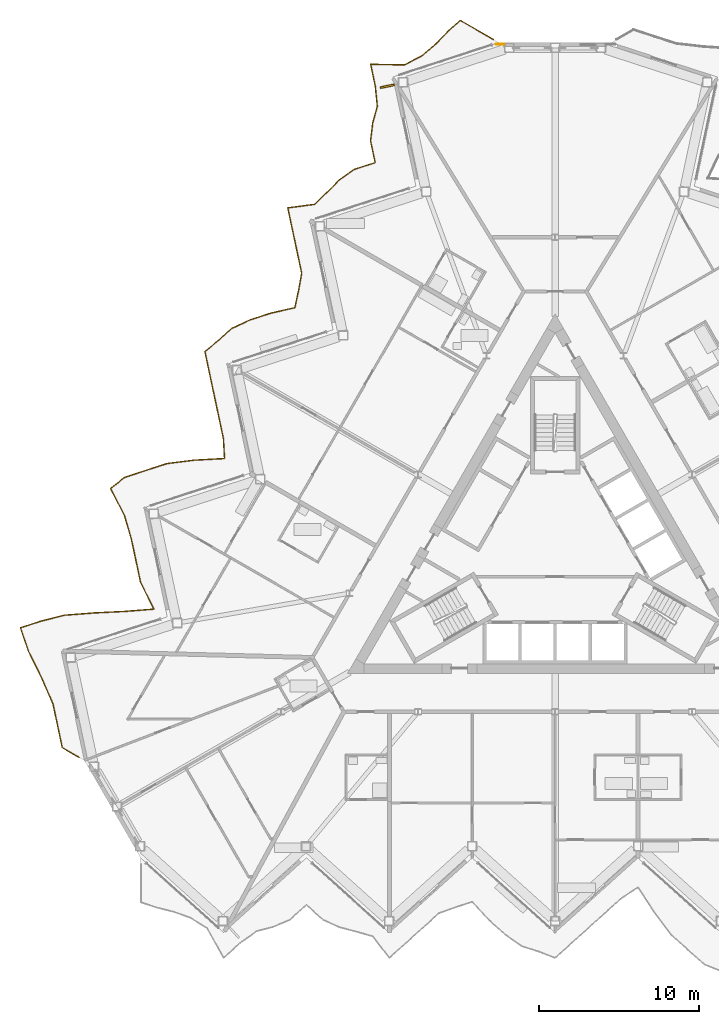
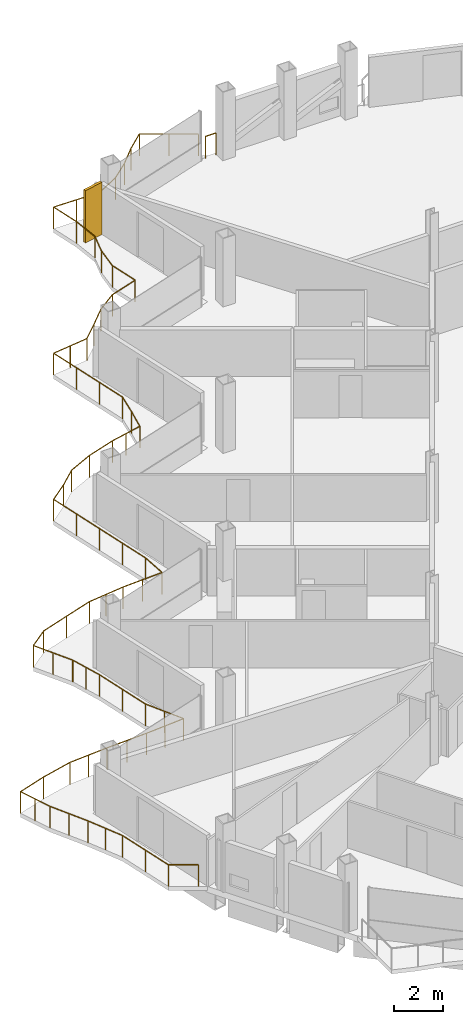
# One storey, part 25 of 28: 2 railings, 1 shading device.
"""IFC4 building model written with IfcOpenShell, lengths in metres."""

from ifc_helpers import new_model, si_unit, direction, frame, origin, origin_2d, place, context, subcontext, project, spatial, rectangle, circle, extrude, material, layer, layer_set, type_object, element, save


model = new_model("IFC4")

# Units and contexts
model_context = context("Model", 3, precision=1e-05, world=origin(), true_north=direction((0.0, 1.0)))
body_context = subcontext(model_context, "Body", "Model", "MODEL_VIEW")
ifc_project = project(units=[si_unit("LENGTHUNIT", "METRE"), si_unit("AREAUNIT", "SQUARE_METRE"), si_unit("VOLUMEUNIT", "CUBIC_METRE"), si_unit("PLANEANGLEUNIT", "RADIAN"), si_unit("MASSUNIT", "GRAM", prefix="KILO")], contexts=[model_context])

# Site, building, storey
site_placement = place(None, origin())
site = spatial("IfcSite", under=ifc_project, at=site_placement, CompositionType="ELEMENT")
building_placement = place(site_placement, origin())
building = spatial("IfcBuilding", under=site, at=building_placement, Name="Cormorant Prow Tower", CompositionType="ELEMENT")
storey_placement = place(building_placement, frame((0.0, 0.0, 301.800048828125)))
storey = spatial("IfcBuildingStorey", under=building, at=storey_placement, Name="L65", CompositionType="ELEMENT", Elevation=301.800048828125)

# Railings
ifc_material_1 = material(Name="Aluminium 6063-T6", Category="aluminium")
railing_type_1 = type_object("IfcRailingType", Name="Balcony guard 1100", PredefinedType="GUARDRAIL", material=ifc_material_1)
railing_1_placement = place(storey_placement, frame((-3.853759765625, 32.19482421875, 0.0)))
element("IfcRailing", 1, at=railing_1_placement, inside=storey, type_object=railing_type_1, Name="Balcony guard WNW", PredefinedType="GUARDRAIL", context=body_context, shape_type="SweptSolid", body=[
    extrude(circle(Radius=0.02392578125, at=origin_2d()), frame((0.0, 0.0, 1.076171875), z_axis=(-0.865984316205, 0.500071159023, 0.0), x_axis=(-0.500071159023, -0.865984316205, 0.0)), (0.0, 0.0, 1.0), 2.404052734375),
    extrude(circle(Radius=0.02392578125, at=origin_2d()), frame((-2.081787109375, 1.2021484375, 1.076171875), z_axis=(-0.747089038768, -0.664723978921, 0.0), x_axis=(0.664723978921, -0.747089038768, 0.0)), (0.0, 0.0, 1.0), 1.09375),
    extrude(circle(Radius=0.02392578125, at=origin_2d()), frame((-2.89892578125, 0.47509765625, 1.076171875), z_axis=(-0.694211586082, -0.719770987016, 0.0), x_axis=(0.719770987016, -0.694211586082, 0.0)), (0.0, 0.0, 1.0), 1.06982421875),
    extrude(circle(Radius=0.02392578125, at=origin_2d()), frame((-3.6416015625, -0.294921875, 1.076171875), z_axis=(-0.762032199561, -0.647539131507, 0.0), x_axis=(0.647539131507, -0.762032199561, 0.0)), (0.0, 0.0, 1.0), 1.1025390625),
    extrude(circle(Radius=0.02392578125, at=origin_2d()), frame((-4.481689453125, -1.0087890625, 1.076171875), z_axis=(-0.882981427981, -0.469407922644, 0.0), x_axis=(0.469407922644, -0.882981427981, 0.0)), (0.0, 0.0, 1.0), 1.224365234375),
    extrude(circle(Radius=0.02392578125, at=origin_2d()), frame((-5.562744140625, -1.58349609375, 1.076171875), z_axis=(-0.999864732402, 0.016447397928, 0.0), x_axis=(-0.016447397928, -0.999864732402, 0.0)), (0.0, 0.0, 1.0), 2.137451171875),
    extrude(circle(Radius=0.02392578125, at=origin_2d()), frame((-7.699951171875, -1.54833984375, 1.076171875), z_axis=(0.207929807467, -0.978143749746, 0.0), x_axis=(0.978143749746, 0.207929807467, 0.0)), (0.0, 0.0, 1.0), 1.397216796875),
    extrude(circle(Radius=0.02392578125, at=origin_2d()), frame((-7.409423828125, -2.9150390625, 1.076171875), z_axis=(0.097534282196, -0.995232165777, 0.0), x_axis=(0.995232165777, 0.097534282196, 0.0)), (0.0, 0.0, 1.0), 1.276611328125),
    extrude(circle(Radius=0.02392578125, at=origin_2d()), frame((-7.284912109375, -4.185546875, 1.076171875), z_axis=(-0.266293644334, -0.963891951926, 0.0), x_axis=(0.963891951926, -0.266293644334, 0.0)), (0.0, 0.0, 1.0), 1.07275390625),
    extrude(circle(Radius=0.02392578125, at=origin_2d()), frame((-7.570556640625, -5.219482421875, 1.076171875), z_axis=(-0.120971161182, -0.992656022075, 0.0), x_axis=(0.992656022075, -0.120971161182, 0.0)), (0.0, 0.0, 1.0), 1.128173828125),
    extrude(circle(Radius=0.02392578125, at=origin_2d()), frame((-7.70703125, -6.33935546875, 1.076171875), z_axis=(0.207798139517, -0.978171729919, 0.0), x_axis=(0.978171729919, 0.207798139517, 0.0)), (0.0, 0.0, 1.0), 1.39697265625),
    extrude(circle(Radius=0.02392578125, at=origin_2d()), frame((-7.416748046875, -7.705810546875, 1.076171875), z_axis=(-0.951016087818, -0.309141392751, 0.0), x_axis=(0.309141392751, -0.951016087818, 0.0)), (0.0, 0.0, 1.0), 1.39697265625),
    extrude(circle(Radius=0.02392578125, at=origin_2d()), frame((-8.745361328125, -8.1376953125, 1.076171875), z_axis=(-0.811729495463, -0.584033583106, 0.0), x_axis=(0.584033583106, -0.811729495463, 0.0)), (0.0, 0.0, 1.0), 1.138671875),
    extrude(circle(Radius=0.02392578125, at=origin_2d()), frame((-9.669677734375, -8.802734375, 1.076171875), z_axis=(-0.703572168412, -0.710623813165, 0.0), x_axis=(0.710623813165, -0.703572168412, 0.0)), (0.0, 0.0, 1.0), 1.0732421875),
    extrude(circle(Radius=0.02392578125, at=origin_2d()), frame((-10.4248046875, -9.5654296875, 1.076171875), z_axis=(-0.718102453364, -0.69593740126, 0.0), x_axis=(0.69593740126, -0.718102453364, 0.0)), (0.0, 0.0, 1.0), 1.079345703125),
    extrude(circle(Radius=0.02392578125, at=origin_2d()), frame((-11.199951171875, -10.316650390625, 1.076171875), z_axis=(-0.991439182662, -0.130569319074, 0.0), x_axis=(0.130569319074, -0.991439182662, 0.0)), (0.0, 0.0, 1.0), 1.705322265625),
    extrude(circle(Radius=0.02392578125, at=origin_2d()), frame((-12.890625, -10.539306640625, 1.076171875), z_axis=(0.207762621885, -0.978179274442, 0.0), x_axis=(0.978179274442, 0.207762621885, 0.0)), (0.0, 0.0, 1.0), 1.397216796875),
    extrude(circle(Radius=0.02392578125, at=origin_2d()), frame((-12.600341796875, -11.906005859375, 1.076171875), z_axis=(0.207965351097, -0.978136193351, 0.0), x_axis=(0.978136193351, 0.207965351097, 0.0)), (0.0, 0.0, 1.0), 1.39697265625),
    extrude(circle(Radius=0.02392578125, at=origin_2d()), frame((-12.309814453125, -13.2724609375, 1.076171875), z_axis=(0.207798139517, -0.978171729919, 0.0), x_axis=(0.978171729919, 0.207798139517, 0.0)), (0.0, 0.0, 1.0), 1.39697265625),
    extrude(circle(Radius=0.02392578125, at=origin_2d()), frame((-12.01953125, -14.638916015625, 1.076171875), z_axis=(-0.180074285146, -0.983653013938, 0.0), x_axis=(0.983653013938, -0.180074285146, 0.0)), (0.0, 0.0, 1.0), 1.102294921875),
    extrude(circle(Radius=0.02392578125, at=origin_2d()), frame((-12.218017578125, -15.72314453125, 1.076171875), z_axis=(-0.208490120926, -0.978024472841, 0.0), x_axis=(0.978024472841, -0.208490120926, 0.0)), (0.0, 0.0, 1.0), 1.09130859375),
    extrude(circle(Radius=0.02392578125, at=origin_2d()), frame((-12.445556640625, -16.79052734375, 1.076171875), z_axis=(-0.97526134755, -0.22105497953, 0.0), x_axis=(0.22105497953, -0.97526134755, 0.0)), (0.0, 0.0, 1.0), 1.528564453125),
    extrude(circle(Radius=0.02392578125, at=origin_2d()), frame((-13.936279296875, -17.12841796875, 1.076171875), z_axis=(-0.951016087818, -0.309141392751, 0.0), x_axis=(0.309141392751, -0.951016087818, 0.0)), (0.0, 0.0, 1.0), 1.39697265625),
    extrude(circle(Radius=0.02392578125, at=origin_2d()), frame((-15.264892578125, -17.560302734375, 1.076171875), z_axis=(-0.90494118241, -0.425536668665, 0.0), x_axis=(0.425536668665, -0.90494118241, 0.0)), (0.0, 0.0, 1.0), 1.264404296875),
    extrude(circle(Radius=0.02392578125, at=origin_2d()), frame((-16.4091796875, -18.098388671875, 1.076171875), z_axis=(-0.737479817062, -0.675369172694, 0.0), x_axis=(0.675369172694, -0.737479817062, 0.0)), (0.0, 0.0, 1.0), 1.0888671875),
    extrude(circle(Radius=0.02392578125, at=origin_2d()), frame((-17.212158203125, -18.833740234375, 1.076171875), z_axis=(-0.780505258853, -0.62514921491, 0.0), x_axis=(0.62514921491, -0.780505258853, 0.0)), (0.0, 0.0, 1.0), 1.1142578125),
    extrude(circle(Radius=0.02392578125, at=origin_2d()), frame((-18.081787109375, -19.5302734375, 1.076171875), z_axis=(0.207965351097, -0.978136193351, 0.0), x_axis=(0.978136193351, 0.207965351097, 0.0)), (0.0, 0.0, 1.0), 1.39697265625),
    extrude(circle(Radius=0.02392578125, at=origin_2d()), frame((-17.791259765625, -20.896728515625, 1.076171875), z_axis=(0.207929807467, -0.978143749746, 0.0), x_axis=(0.978143749746, 0.207929807467, 0.0)), (0.0, 0.0, 1.0), 1.397216796875),
    extrude(circle(Radius=0.02392578125, at=origin_2d()), frame((-17.500732421875, -22.263427734375, 1.076171875), z_axis=(0.207798139517, -0.978171729919, 0.0), x_axis=(0.978171729919, 0.207798139517, 0.0)), (0.0, 0.0, 1.0), 1.39697265625),
    extrude(circle(Radius=0.02392578125, at=origin_2d()), frame((-17.21044921875, -23.6298828125, 1.076171875), z_axis=(0.207965351097, -0.978136193351, 0.0), x_axis=(0.978136193351, 0.207965351097, 0.0)), (0.0, 0.0, 1.0), 1.39697265625),
    extrude(circle(Radius=0.02392578125, at=origin_2d()), frame((-16.919921875, -24.996337890625, 1.076171875), z_axis=(0.055317377538, -0.998468821618, 0.0), x_axis=(0.998468821618, 0.055317377538, 0.0)), (0.0, 0.0, 1.0), 1.240234375),
    extrude(circle(Radius=0.02392578125, at=origin_2d()), frame((-16.851318359375, -26.234619140625, 1.076171875), z_axis=(-0.998537593173, -0.054061770412, 0.0), x_axis=(0.054061770412, -0.998537593173, 0.0)), (0.0, 0.0, 1.0), 1.901123046875),
    extrude(circle(Radius=0.02392578125, at=origin_2d()), frame((-18.749755859375, -26.33740234375, 1.076171875), z_axis=(-0.992234125574, -0.124384243561, 0.0), x_axis=(0.124384243561, -0.992234125574, 0.0)), (0.0, 0.0, 1.0), 1.719482421875),
    extrude(circle(Radius=0.02392578125, at=origin_2d()), frame((-20.455810546875, -26.55126953125, 1.076171875), z_axis=(-0.951067455121, -0.308983326103, 0.0), x_axis=(0.308983326103, -0.951067455121, 0.0)), (0.0, 0.0, 1.0), 1.39697265625),
    extrude(circle(Radius=0.02392578125, at=origin_2d()), frame((-21.784423828125, -26.98291015625, 1.076171875), z_axis=(-0.949313575677, -0.314330614218, 0.0), x_axis=(0.314330614218, -0.949313575677, 0.0)), (0.0, 0.0, 1.0), 1.390380859375),
    extrude(circle(Radius=0.02392578125, at=origin_2d()), frame((-23.104248046875, -27.419921875, 1.076171875), z_axis=(-0.788529793252, -0.614996557026, 0.0), x_axis=(0.614996557026, -0.788529793252, 0.0)), (0.0, 0.0, 1.0), 1.119873046875),
    extrude(circle(Radius=0.02392578125, at=origin_2d()), frame((-23.9873046875, -28.108642578125, 1.076171875), z_axis=(0.455120067294, -0.890430078303, 0.0), x_axis=(0.890430078303, 0.455120067294, 0.0)), (0.0, 0.0, 1.0), 1.91015625),
    extrude(circle(Radius=0.02392578125, at=origin_2d()), frame((-23.117919921875, -29.8095703125, 1.076171875), z_axis=(0.282973475097, -0.95912773518, 0.0), x_axis=(0.95912773518, 0.282973475097, 0.0)), (0.0, 0.0, 1.0), 1.50634765625),
    extrude(circle(Radius=0.02392578125, at=origin_2d()), frame((-22.691650390625, -31.25439453125, 1.076171875), z_axis=(0.207965351097, -0.978136193351, 0.0), x_axis=(0.978136193351, 0.207965351097, 0.0)), (0.0, 0.0, 1.0), 1.39697265625),
    extrude(circle(Radius=0.02392578125, at=origin_2d()), frame((-22.401123046875, -32.620849609375, 1.076171875), z_axis=(0.207798139517, -0.978171729919, 0.0), x_axis=(0.978171729919, 0.207798139517, 0.0)), (0.0, 0.0, 1.0), 1.39697265625),
    extrude(circle(Radius=0.02392578125, at=origin_2d()), frame((-22.11083984375, -33.9873046875, 1.076171875), z_axis=(0.443664933893, -0.896192739556, 0.0), x_axis=(0.896192739556, 0.443664933893, 0.0)), (0.0, 0.0, 1.0), 1.873046875),
    extrude(circle(Radius=0.02392578125, at=origin_2d()), frame((-21.27978515625, -35.666015625, 1.076171875), z_axis=(-0.996893193601, -0.078765224254, 0.0), x_axis=(0.078765224254, -0.996893193601, 0.0)), (0.0, 0.0, 1.0), 1.831787109375),
    extrude(circle(Radius=0.02392578125, at=origin_2d()), frame((-23.10595703125, -35.810302734375, 1.076171875), z_axis=(-0.998816277505, -0.048641996176, 0.0), x_axis=(0.048641996176, -0.998816277505, 0.0)), (0.0, 0.0, 1.0), 1.917236328125),
    extrude(circle(Radius=0.02392578125, at=origin_2d()), frame((-25.02099609375, -35.903564453125, 1.076171875), z_axis=(-0.997045880711, -0.076808279228, 0.0), x_axis=(0.076808279228, -0.997045880711, 0.0)), (0.0, 0.0, 1.0), 1.837158203125),
    extrude(circle(Radius=0.02392578125, at=origin_2d()), frame((-26.852783203125, -36.044677734375, 1.076171875), z_axis=(-0.970449044261, -0.241306138529, 0.0), x_axis=(0.241306138529, -0.970449044261, 0.0)), (0.0, 0.0, 1.0), 1.495361328125),
    extrude(circle(Radius=0.02392578125, at=origin_2d()), frame((-28.303955078125, -36.405517578125, 1.076171875), z_axis=(-0.9510327847, -0.309090023174, 0.0), x_axis=(0.309090023174, -0.9510327847, 0.0)), (0.0, 0.0, 1.0), 1.397216796875),
    extrude(circle(Radius=0.02392578125, at=origin_2d()), frame((-29.6328125, -36.83740234375, 1.076171875), z_axis=(0.326565312027, -0.94517463835, 0.0), x_axis=(0.94517463835, 0.326565312027, 0.0)), (0.0, 0.0, 1.0), 1.584228515625),
    extrude(circle(Radius=0.02392578125, at=origin_2d()), frame((-29.115478515625, -38.334716796875, 1.076171875), z_axis=(0.442981034321, -0.896530982862, 0.0), x_axis=(0.896530982862, 0.442981034321, 0.0)), (0.0, 0.0, 1.0), 1.87109375),
    extrude(circle(Radius=0.02392578125, at=origin_2d()), frame((-28.28662109375, -40.01220703125, 1.076171875), z_axis=(0.398173143116, -0.917310279077, 0.0), x_axis=(0.917310279077, 0.398173143116, 0.0)), (0.0, 0.0, 1.0), 1.743896484375),
    extrude(circle(Radius=0.02392578125, at=origin_2d()), frame((-27.59228515625, -41.61181640625, 1.076171875), z_axis=(0.207965351097, -0.978136193351, 0.0), x_axis=(0.978136193351, 0.207965351097, 0.0)), (0.0, 0.0, 1.0), 1.39697265625),
    extrude(circle(Radius=0.02392578125, at=origin_2d()), frame((-27.3017578125, -42.978271484375, 1.076171875), z_axis=(0.207965351097, -0.978136193351, 0.0), x_axis=(0.978136193351, 0.207965351097, 0.0)), (0.0, 0.0, 1.0), 1.39697265625),
    extrude(circle(Radius=0.02392578125, at=origin_2d()), frame((-27.01123046875, -44.3447265625, 1.076171875), z_axis=(0.865955602162, -0.500120880472, 0.0), x_axis=(0.500120880472, 0.865955602162, 0.0)), (0.0, 0.0, 1.0), 1.219970703125),
    extrude(circle(Radius=0.02099609375, at=origin_2d()), origin(), (0.0, 0.0, 1.0), 1.052001953125),
    extrude(circle(Radius=0.02099609375, at=origin_2d()), frame((-1.041015625, 0.60107421875, 0.0)), (0.0, 0.0, 1.0), 1.052001953125),
    extrude(circle(Radius=0.02099609375, at=origin_2d()), frame((-2.081787109375, 1.2021484375, 0.0)), (0.0, 0.0, 1.0), 1.052001953125),
    extrude(circle(Radius=0.02099609375, at=origin_2d()), frame((-2.89892578125, 0.47509765625, 0.0)), (0.0, 0.0, 1.0), 1.052001953125),
    extrude(circle(Radius=0.02099609375, at=origin_2d()), frame((-3.6416015625, -0.294921875, 0.0)), (0.0, 0.0, 1.0), 1.052001953125),
    extrude(circle(Radius=0.02099609375, at=origin_2d()), frame((-4.481689453125, -1.0087890625, 0.0)), (0.0, 0.0, 1.0), 1.052001953125),
    extrude(circle(Radius=0.02099609375, at=origin_2d()), frame((-5.562744140625, -1.58349609375, 0.0)), (0.0, 0.0, 1.0), 1.052001953125),
    extrude(circle(Radius=0.02099609375, at=origin_2d()), frame((-6.63134765625, -1.56591796875, 0.0)), (0.0, 0.0, 1.0), 1.052001953125),
    extrude(circle(Radius=0.02099609375, at=origin_2d()), frame((-7.699951171875, -1.54833984375, 0.0)), (0.0, 0.0, 1.0), 1.052001953125),
    extrude(circle(Radius=0.02099609375, at=origin_2d()), frame((-7.409423828125, -2.9150390625, 0.0)), (0.0, 0.0, 1.0), 1.052001953125),
    extrude(circle(Radius=0.02099609375, at=origin_2d()), frame((-7.284912109375, -4.185546875, 0.0)), (0.0, 0.0, 1.0), 1.052001953125),
    extrude(circle(Radius=0.02099609375, at=origin_2d()), frame((-7.570556640625, -5.219482421875, 0.0)), (0.0, 0.0, 1.0), 1.052001953125),
    extrude(circle(Radius=0.02099609375, at=origin_2d()), frame((-7.70703125, -6.33935546875, 0.0)), (0.0, 0.0, 1.0), 1.052001953125),
    extrude(circle(Radius=0.02099609375, at=origin_2d()), frame((-7.416748046875, -7.705810546875, 0.0)), (0.0, 0.0, 1.0), 1.052001953125),
    extrude(circle(Radius=0.02099609375, at=origin_2d()), frame((-8.745361328125, -8.1376953125, 0.0)), (0.0, 0.0, 1.0), 1.052001953125),
    extrude(circle(Radius=0.02099609375, at=origin_2d()), frame((-9.669677734375, -8.802734375, 0.0)), (0.0, 0.0, 1.0), 1.052001953125),
    extrude(circle(Radius=0.02099609375, at=origin_2d()), frame((-10.4248046875, -9.5654296875, 0.0)), (0.0, 0.0, 1.0), 1.052001953125),
    extrude(circle(Radius=0.02099609375, at=origin_2d()), frame((-11.199951171875, -10.316650390625, 0.0)), (0.0, 0.0, 1.0), 1.052001953125),
    extrude(circle(Radius=0.02099609375, at=origin_2d()), frame((-12.04541015625, -10.427978515625, 0.0)), (0.0, 0.0, 1.0), 1.052001953125),
    extrude(circle(Radius=0.02099609375, at=origin_2d()), frame((-12.890625, -10.539306640625, 0.0)), (0.0, 0.0, 1.0), 1.052001953125),
    extrude(circle(Radius=0.02099609375, at=origin_2d()), frame((-12.600341796875, -11.906005859375, 0.0)), (0.0, 0.0, 1.0), 1.052001953125),
    extrude(circle(Radius=0.02099609375, at=origin_2d()), frame((-12.309814453125, -13.2724609375, 0.0)), (0.0, 0.0, 1.0), 1.052001953125),
    extrude(circle(Radius=0.02099609375, at=origin_2d()), frame((-12.01953125, -14.638916015625, 0.0)), (0.0, 0.0, 1.0), 1.052001953125),
    extrude(circle(Radius=0.02099609375, at=origin_2d()), frame((-12.218017578125, -15.72314453125, 0.0)), (0.0, 0.0, 1.0), 1.052001953125),
    extrude(circle(Radius=0.02099609375, at=origin_2d()), frame((-12.445556640625, -16.79052734375, 0.0)), (0.0, 0.0, 1.0), 1.052001953125),
    extrude(circle(Radius=0.02099609375, at=origin_2d()), frame((-13.19091796875, -16.95947265625, 0.0)), (0.0, 0.0, 1.0), 1.052001953125),
    extrude(circle(Radius=0.02099609375, at=origin_2d()), frame((-13.936279296875, -17.12841796875, 0.0)), (0.0, 0.0, 1.0), 1.052001953125),
    extrude(circle(Radius=0.02099609375, at=origin_2d()), frame((-15.264892578125, -17.560302734375, 0.0)), (0.0, 0.0, 1.0), 1.052001953125),
    extrude(circle(Radius=0.02099609375, at=origin_2d()), frame((-16.4091796875, -18.098388671875, 0.0)), (0.0, 0.0, 1.0), 1.052001953125),
    extrude(circle(Radius=0.02099609375, at=origin_2d()), frame((-17.212158203125, -18.833740234375, 0.0)), (0.0, 0.0, 1.0), 1.052001953125),
    extrude(circle(Radius=0.02099609375, at=origin_2d()), frame((-18.081787109375, -19.5302734375, 0.0)), (0.0, 0.0, 1.0), 1.052001953125),
    extrude(circle(Radius=0.02099609375, at=origin_2d()), frame((-17.791259765625, -20.896728515625, 0.0)), (0.0, 0.0, 1.0), 1.052001953125),
    extrude(circle(Radius=0.02099609375, at=origin_2d()), frame((-17.500732421875, -22.263427734375, 0.0)), (0.0, 0.0, 1.0), 1.052001953125),
    extrude(circle(Radius=0.02099609375, at=origin_2d()), frame((-17.21044921875, -23.6298828125, 0.0)), (0.0, 0.0, 1.0), 1.052001953125),
    extrude(circle(Radius=0.02099609375, at=origin_2d()), frame((-16.919921875, -24.996337890625, 0.0)), (0.0, 0.0, 1.0), 1.052001953125),
    extrude(circle(Radius=0.02099609375, at=origin_2d()), frame((-16.851318359375, -26.234619140625, 0.0)), (0.0, 0.0, 1.0), 1.052001953125),
    extrude(circle(Radius=0.02099609375, at=origin_2d()), frame((-17.800537109375, -26.2861328125, 0.0)), (0.0, 0.0, 1.0), 1.052001953125),
    extrude(circle(Radius=0.02099609375, at=origin_2d()), frame((-18.749755859375, -26.33740234375, 0.0)), (0.0, 0.0, 1.0), 1.052001953125),
    extrude(circle(Radius=0.02099609375, at=origin_2d()), frame((-19.602783203125, -26.4443359375, 0.0)), (0.0, 0.0, 1.0), 1.052001953125),
    extrude(circle(Radius=0.02099609375, at=origin_2d()), frame((-20.455810546875, -26.55126953125, 0.0)), (0.0, 0.0, 1.0), 1.052001953125),
    extrude(circle(Radius=0.02099609375, at=origin_2d()), frame((-21.784423828125, -26.98291015625, 0.0)), (0.0, 0.0, 1.0), 1.052001953125),
    extrude(circle(Radius=0.02099609375, at=origin_2d()), frame((-23.104248046875, -27.419921875, 0.0)), (0.0, 0.0, 1.0), 1.052001953125),
    extrude(circle(Radius=0.02099609375, at=origin_2d()), frame((-23.9873046875, -28.108642578125, 0.0)), (0.0, 0.0, 1.0), 1.052001953125),
    extrude(circle(Radius=0.02099609375, at=origin_2d()), frame((-23.552734375, -28.958984375, 0.0)), (0.0, 0.0, 1.0), 1.052001953125),
    extrude(circle(Radius=0.02099609375, at=origin_2d()), frame((-23.117919921875, -29.8095703125, 0.0)), (0.0, 0.0, 1.0), 1.052001953125),
    extrude(circle(Radius=0.02099609375, at=origin_2d()), frame((-22.90478515625, -30.531982421875, 0.0)), (0.0, 0.0, 1.0), 1.052001953125),
    extrude(circle(Radius=0.02099609375, at=origin_2d()), frame((-22.691650390625, -31.25439453125, 0.0)), (0.0, 0.0, 1.0), 1.052001953125),
    extrude(circle(Radius=0.02099609375, at=origin_2d()), frame((-22.401123046875, -32.620849609375, 0.0)), (0.0, 0.0, 1.0), 1.052001953125),
    extrude(circle(Radius=0.02099609375, at=origin_2d()), frame((-22.11083984375, -33.9873046875, 0.0)), (0.0, 0.0, 1.0), 1.052001953125),
    extrude(circle(Radius=0.02099609375, at=origin_2d()), frame((-21.6953125, -34.82666015625, 0.0)), (0.0, 0.0, 1.0), 1.052001953125),
    extrude(circle(Radius=0.02099609375, at=origin_2d()), frame((-21.27978515625, -35.666015625, 0.0)), (0.0, 0.0, 1.0), 1.052001953125),
    extrude(circle(Radius=0.02099609375, at=origin_2d()), frame((-22.19287109375, -35.73828125, 0.0)), (0.0, 0.0, 1.0), 1.052001953125),
    extrude(circle(Radius=0.02099609375, at=origin_2d()), frame((-23.10595703125, -35.810302734375, 0.0)), (0.0, 0.0, 1.0), 1.052001953125),
    extrude(circle(Radius=0.02099609375, at=origin_2d()), frame((-24.0634765625, -35.85693359375, 0.0)), (0.0, 0.0, 1.0), 1.052001953125),
    extrude(circle(Radius=0.02099609375, at=origin_2d()), frame((-25.02099609375, -35.903564453125, 0.0)), (0.0, 0.0, 1.0), 1.052001953125),
    extrude(circle(Radius=0.02099609375, at=origin_2d()), frame((-25.93701171875, -35.97412109375, 0.0)), (0.0, 0.0, 1.0), 1.052001953125),
    extrude(circle(Radius=0.02099609375, at=origin_2d()), frame((-26.852783203125, -36.044677734375, 0.0)), (0.0, 0.0, 1.0), 1.052001953125),
    extrude(circle(Radius=0.02099609375, at=origin_2d()), frame((-28.303955078125, -36.405517578125, 0.0)), (0.0, 0.0, 1.0), 1.052001953125),
    extrude(circle(Radius=0.02099609375, at=origin_2d()), frame((-29.6328125, -36.83740234375, 0.0)), (0.0, 0.0, 1.0), 1.052001953125),
    extrude(circle(Radius=0.02099609375, at=origin_2d()), frame((-29.3740234375, -37.5859375, 0.0)), (0.0, 0.0, 1.0), 1.052001953125),
    extrude(circle(Radius=0.02099609375, at=origin_2d()), frame((-29.115478515625, -38.334716796875, 0.0)), (0.0, 0.0, 1.0), 1.052001953125),
    extrude(circle(Radius=0.02099609375, at=origin_2d()), frame((-28.701171875, -39.17333984375, 0.0)), (0.0, 0.0, 1.0), 1.052001953125),
    extrude(circle(Radius=0.02099609375, at=origin_2d()), frame((-28.28662109375, -40.01220703125, 0.0)), (0.0, 0.0, 1.0), 1.052001953125),
    extrude(circle(Radius=0.02099609375, at=origin_2d()), frame((-27.939453125, -40.81201171875, 0.0)), (0.0, 0.0, 1.0), 1.052001953125),
    extrude(circle(Radius=0.02099609375, at=origin_2d()), frame((-27.59228515625, -41.61181640625, 0.0)), (0.0, 0.0, 1.0), 1.052001953125),
    extrude(circle(Radius=0.02099609375, at=origin_2d()), frame((-27.3017578125, -42.978271484375, 0.0)), (0.0, 0.0, 1.0), 1.052001953125),
    extrude(circle(Radius=0.02099609375, at=origin_2d()), frame((-27.01123046875, -44.3447265625, 0.0)), (0.0, 0.0, 1.0), 1.052001953125),
    extrude(circle(Radius=0.02099609375, at=origin_2d()), frame((-25.954833984375, -44.954833984375, 0.0)), (0.0, 0.0, 1.0), 1.052001953125),
])
ifc_material_2 = material(Name="Stainless steel", Category="steel")
railing_type_2 = type_object("IfcRailingType", Name="Facade corner guard 1100", PredefinedType="GUARDRAIL", material=ifc_material_2)
railing_2_placement = place(storey_placement, frame((-3.68505859375, 31.89990234375, 0.0)))
element("IfcRailing", 2, at=railing_2_placement, inside=storey, type_object=railing_type_2, Name="Facade corner guard L65 1", PredefinedType="GUARDRAIL", context=body_context, shape_type="SweptSolid", body=[
    extrude(circle(Radius=0.02392578125, at=origin_2d()), frame((0.0, 0.0, 1.076171875), z_axis=(1.0, 0.0, 0.0), x_axis=(0.0, 1.0, 0.0)), (0.0, 0.0, 1.0), 0.4912109375),
    extrude(circle(Radius=0.02099609375, at=origin_2d()), origin(), (0.0, 0.0, 1.0), 1.052001953125),
    extrude(circle(Radius=0.02099609375, at=origin_2d()), frame((0.4912109375, 0.0, 0.0)), (0.0, 0.0, 1.0), 1.052001953125),
])

# Shading device
ifc_material_3 = material(Name="Terracotta", Category="masonry")
ifc_layer = layer(ifc_material_3, 0.1201171875)
ifc_layer_set = layer_set([ifc_layer], Name="Terracotta")
shading_device_type = type_object("IfcShadingDeviceType", Name="Terracotta baguette fin 120x900x2600", PredefinedType="USERDEFINED", material=ifc_layer_set)
shading_device_placement = place(storey_placement, frame((-10.50537109375, 29.26953125, 0.0), z_axis=(0.0, 0.0, 1.0), x_axis=(0.207911662683, -0.978147606714, 0.0)))
element("IfcShadingDevice", 3, at=shading_device_placement, inside=storey, type_object=shading_device_type, Name="Baguette fin WNW01", ObjectType="BAGUETTE", PredefinedType="USERDEFINED", context=body_context, shape_type="SweptSolid", body=[
    extrude(rectangle(XDim=0.1201171875, YDim=0.89990234375, at=origin_2d()), origin(), (0.0, 0.0, 1.0), 2.60009765625),
])

save(model, "model.ifc")
